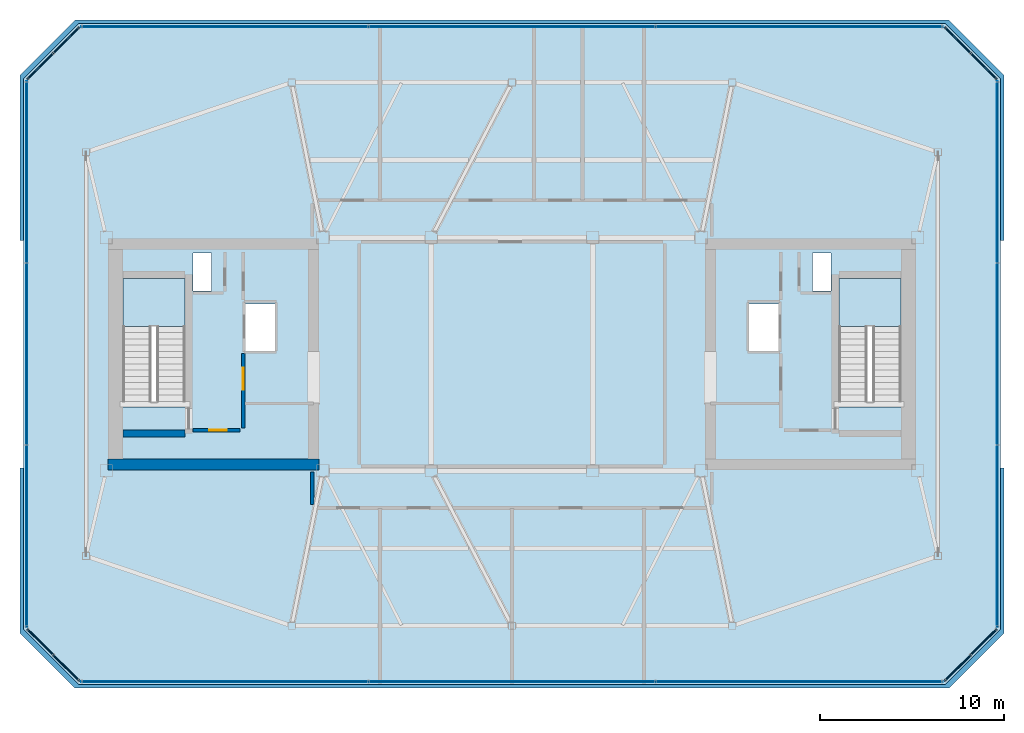
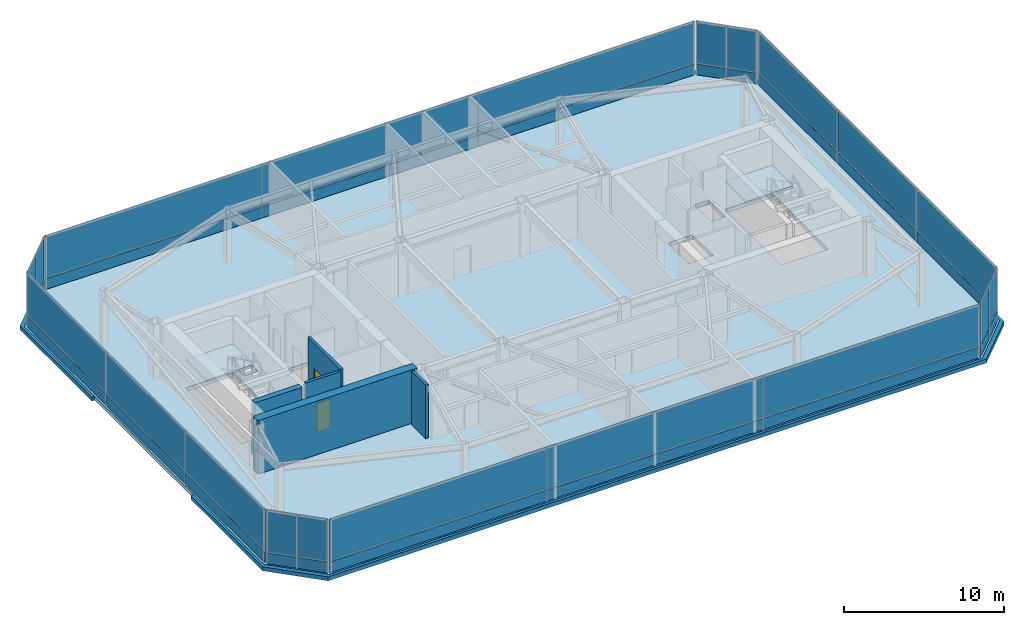
# One storey, part 16 of 21: 40 plates, 5 slabs, 5 walls, 2 doors, 2 openings, 10 elements without a shape of their own.
"""IFC4 building model written with IfcOpenShell, lengths in metres."""

from ifc_helpers import new_model, si_unit, direction, frame, frame_2d, origin, origin_2d, place, context, subcontext, project, spatial, polyline, rectangle, outline, extrude, material, layer, layer_set, type_object, element, fill, aggregate, save


model = new_model("IFC4")

# Units and contexts
model_context = context("Model", 3, precision=1e-05, world=origin(), true_north=direction((0.0, 1.0)))
body_context = subcontext(model_context, "Body", "Model", "MODEL_VIEW")
ifc_project = project(units=[si_unit("LENGTHUNIT", "METRE"), si_unit("AREAUNIT", "SQUARE_METRE"), si_unit("VOLUMEUNIT", "CUBIC_METRE"), si_unit("PLANEANGLEUNIT", "RADIAN"), si_unit("MASSUNIT", "GRAM", prefix="KILO")], contexts=[model_context])

# Site, building, storey
site_placement = place(None, origin())
site = spatial("IfcSite", under=ifc_project, at=site_placement, CompositionType="ELEMENT")
building_placement = place(site_placement, origin())
building = spatial("IfcBuilding", under=site, at=building_placement, Name="Tavrogorsk Clinical Tower", CompositionType="ELEMENT")
storey_placement = place(building_placement, frame((0.0, 0.0, 344.199951171875)))
storey = spatial("IfcBuildingStorey", under=building, at=storey_placement, Name="L80", CompositionType="ELEMENT", Elevation=344.199951171875)

# Slabs
ifc_material_1 = material(Name="Concrete B60", Category="concrete")
ifc_layer_1 = layer(ifc_material_1, 0.300048828125)
ifc_layer_set_1 = layer_set([ifc_layer_1], Name="Concrete B60")
slab_type_1 = type_object("IfcSlabType", Name="CrownRoofSlab_300", PredefinedType="FLOOR", material=ifc_layer_set_1)
slab_1_placement = place(storey_placement, frame((0.0, 0.0, -0.300048828125)))
element("IfcSlab", 1, at=slab_1_placement, inside=storey, type_object=slab_type_1, Name="L80 Structural Slab", PredefinedType="FLOOR", context=body_context, shape_type="SweptSolid", body=[
    extrude(outline(polyline([(-23.60009765625, -18.0), (23.60009765625, -18.0), (26.60009765625, -15.0), (26.60009765625, 15.0), (23.60009765625, 18.0), (-23.60009765625, 18.0), (-26.60009765625, 15.0), (-26.60009765625, -15.0), (-23.60009765625, -18.0)]), holes=[polyline([(-17.800048828125, -2.8798828125), (-17.800048828125, 4.125), (-21.199951171875, 4.125), (-21.199951171875, -2.8798828125), (-17.800048828125, -2.8798828125)]), polyline([(21.199951171875, -2.8798828125), (21.199951171875, 4.125), (17.800048828125, 4.125), (17.800048828125, -2.8798828125), (21.199951171875, -2.8798828125)]), polyline([(-14.6201171875, 0.169921875), (-12.860107421875, 0.169921875), (-12.860107421875, 2.72998046875), (-14.6201171875, 2.72998046875), (-14.6201171875, 0.169921875)]), polyline([(12.860107421875, 0.169921875), (14.6201171875, 0.169921875), (14.6201171875, 2.72998046875), (12.860107421875, 2.72998046875), (12.860107421875, 0.169921875)]), polyline([(-17.3798828125, 3.449951171875), (-16.3798828125, 3.449951171875), (-16.3798828125, 5.5), (-17.3798828125, 5.5), (-17.3798828125, 3.449951171875)]), polyline([(16.3798828125, 3.449951171875), (17.3798828125, 3.449951171875), (17.3798828125, 5.5), (16.3798828125, 5.5), (16.3798828125, 3.449951171875)])]), origin(), (0.0, 0.0, 1.0), 0.300048828125),
])
ifc_material_2 = material(Name="Concrete B60", Category="concrete")
ifc_layer_2 = layer(ifc_material_2, 0.300048828125)
ifc_layer_set_2 = layer_set([ifc_layer_2], Name="Concrete B60")
slab_type_2 = type_object("IfcSlabType", Name="CrownTopRoofSlab_300", PredefinedType="ROOF", material=ifc_layer_set_2)
slab_2_placement = place(storey_placement, frame((0.0, 0.0, -0.300048828125)))
element("IfcSlab", 2, at=slab_2_placement, inside=storey, type_object=slab_type_2, Name="L80 Setback Roof Slab 1", PredefinedType="ROOF", context=body_context, shape_type="SweptSolid", body=[
    extrude(outline(polyline([(-26.800048828125, -6.199951171875), (-26.60009765625, -6.199951171875), (-26.60009765625, -15.0), (-23.60009765625, -18.0), (23.60009765625, -18.0), (26.60009765625, -15.0), (26.60009765625, -6.199951171875), (26.800048828125, -6.199951171875), (26.800048828125, -15.199951171875), (23.800048828125, -18.199951171875), (-23.800048828125, -18.199951171875), (-26.800048828125, -15.199951171875), (-26.800048828125, -6.199951171875)])), origin(), (0.0, 0.0, 1.0), 0.300048828125),
])
slab_3_placement = place(storey_placement, frame((0.0, 0.0, -0.300048828125)))
element("IfcSlab", 3, at=slab_3_placement, inside=storey, type_object=slab_type_2, Name="L80 Setback Roof Slab 2", PredefinedType="ROOF", context=body_context, shape_type="SweptSolid", body=[
    extrude(outline(polyline([(-26.800048828125, 15.199951171875), (-23.800048828125, 18.199951171875), (23.800048828125, 18.199951171875), (26.800048828125, 15.199951171875), (26.800048828125, 6.199951171875), (26.60009765625, 6.199951171875), (26.60009765625, 15.0), (23.60009765625, 18.0), (-23.60009765625, 18.0), (-26.60009765625, 15.0), (-26.60009765625, 6.199951171875), (-26.800048828125, 6.199951171875), (-26.800048828125, 15.199951171875)])), origin(), (0.0, 0.0, 1.0), 0.300048828125),
])

# Curtain wall, plates
ifc_material_3 = material(Name="Anodised aluminium and triple IGU glazing", Category="aluminium")
ifc_layer_3 = layer(ifc_material_3, 0.179931640625)
ifc_layer_set_3 = layer_set([ifc_layer_3], Name="Anodised aluminium and triple IGU glazing")
curtain_wall_type = type_object("IfcCurtainWallType", Name="CW5_SkyLobby", PredefinedType="NOTDEFINED", material=ifc_layer_set_3)
curtain_wall_1_placement = place(storey_placement, origin())
curtain_wall_1 = element("IfcCurtainWall", 4, at=curtain_wall_1_placement, inside=storey, type_object=curtain_wall_type, Name="L80 Curtain Wall CW-L80-DRUM-1", PredefinedType="NOTDEFINED")
ifc_material_4 = material(Name="Honed Podolsk limestone spandrel panel", Category="masonry")
ifc_layer_4 = layer(ifc_material_4, 0.080078125)
ifc_layer_set_4 = layer_set([ifc_layer_4], Name="Honed Podolsk limestone spandrel panel")
plate_type_1 = type_object("IfcPlateType", Name="CwSpandrelStonePanel_80", PredefinedType="CURTAIN_PANEL", material=ifc_layer_set_4)
plate_1_placement = place(storey_placement, frame((-24.27734375, -17.096435546875, 0.002197265625), z_axis=(0.0, 0.0, 1.0), x_axis=(-0.707106781187, 0.707106781187, 0.0)))
plate_1 = element("IfcPlate", 5, at=plate_1_placement, type_object=plate_type_1, Name="CW-L80-DRUM-1 Stone Spandrel Panel 1", PredefinedType="CURTAIN_PANEL", context=body_context, shape_type="SweptSolid", body=[
    extrude(rectangle(XDim=1.98291015625, YDim=0.080078125, at=origin_2d()), origin(), (0.0, 0.0, 1.0), 0.8359375),
])
plate_2_placement = place(storey_placement, frame((-25.696533203125, -15.67724609375, 0.002197265625), z_axis=(0.0, 0.0, 1.0), x_axis=(-0.707106781187, 0.707106781187, 0.0)))
plate_2 = element("IfcPlate", 6, at=plate_2_placement, type_object=plate_type_1, Name="CW-L80-DRUM-1 Stone Spandrel Panel 2", PredefinedType="CURTAIN_PANEL", context=body_context, shape_type="SweptSolid", body=[
    extrude(rectangle(XDim=1.98291015625, YDim=0.080078125, at=origin_2d()), origin(), (0.0, 0.0, 1.0), 0.8359375),
])

curtain_wall_2_placement = place(storey_placement, origin())
curtain_wall_2 = element("IfcCurtainWall", 7, at=curtain_wall_2_placement, inside=storey, type_object=curtain_wall_type, Name="L80 Curtain Wall CW-L80-DRUM-2", PredefinedType="NOTDEFINED")
plate_3_placement = place(storey_placement, frame((-26.43994140625, -9.921875, 0.002197265625), z_axis=(0.0, 0.0, 1.0), x_axis=(0.0, 1.0, 0.0)))
plate_3 = element("IfcPlate", 8, at=plate_3_placement, type_object=plate_type_1, Name="CW-L80-DRUM-2 Stone Spandrel Panel 1", PredefinedType="CURTAIN_PANEL", context=body_context, shape_type="SweptSolid", body=[
    extrude(rectangle(XDim=9.90380859375, YDim=0.080078125, at=origin_2d()), origin(), (0.0, 0.0, 1.0), 0.8359375),
])
plate_4_placement = place(storey_placement, frame((-26.43994140625, 0.0, 0.002197265625), z_axis=(0.0, 0.0, 1.0), x_axis=(0.0, 1.0, 0.0)))
plate_4 = element("IfcPlate", 9, at=plate_4_placement, type_object=plate_type_1, Name="CW-L80-DRUM-2 Stone Spandrel Panel 2", PredefinedType="CURTAIN_PANEL", context=body_context, shape_type="SweptSolid", body=[
    extrude(rectangle(XDim=9.891845703125, YDim=0.080078125, at=origin_2d()), origin(), (0.0, 0.0, 1.0), 0.8359375),
])
plate_5_placement = place(storey_placement, frame((-26.43994140625, 9.921875, 0.002197265625), z_axis=(0.0, 0.0, 1.0), x_axis=(0.0, 1.0, 0.0)))
plate_5 = element("IfcPlate", 10, at=plate_5_placement, type_object=plate_type_1, Name="CW-L80-DRUM-2 Stone Spandrel Panel 3", PredefinedType="CURTAIN_PANEL", context=body_context, shape_type="SweptSolid", body=[
    extrude(rectangle(XDim=9.90380859375, YDim=0.080078125, at=origin_2d()), origin(), (0.0, 0.0, 1.0), 0.8359375),
])

curtain_wall_3_placement = place(storey_placement, origin())
curtain_wall_3 = element("IfcCurtainWall", 11, at=curtain_wall_3_placement, inside=storey, type_object=curtain_wall_type, Name="L80 Curtain Wall CW-L80-DRUM-3", PredefinedType="NOTDEFINED")
plate_6_placement = place(storey_placement, frame((-25.696533203125, 15.67724609375, 0.002197265625), z_axis=(0.0, 0.0, 1.0), x_axis=(0.707106781187, 0.707106781187, 0.0)))
plate_6 = element("IfcPlate", 12, at=plate_6_placement, type_object=plate_type_1, Name="CW-L80-DRUM-3 Stone Spandrel Panel 1", PredefinedType="CURTAIN_PANEL", context=body_context, shape_type="SweptSolid", body=[
    extrude(rectangle(XDim=1.98291015625, YDim=0.080078125, at=origin_2d()), origin(), (0.0, 0.0, 1.0), 0.8359375),
])
plate_7_placement = place(storey_placement, frame((-24.27734375, 17.096435546875, 0.002197265625), z_axis=(0.0, 0.0, 1.0), x_axis=(0.707106781187, 0.707106781187, 0.0)))
plate_7 = element("IfcPlate", 13, at=plate_7_placement, type_object=plate_type_1, Name="CW-L80-DRUM-3 Stone Spandrel Panel 2", PredefinedType="CURTAIN_PANEL", context=body_context, shape_type="SweptSolid", body=[
    extrude(rectangle(XDim=1.98291015625, YDim=0.080078125, at=origin_2d()), origin(), (0.0, 0.0, 1.0), 0.8359375),
])

curtain_wall_4_placement = place(storey_placement, origin())
curtain_wall_4 = element("IfcCurtainWall", 14, at=curtain_wall_4_placement, inside=storey, type_object=curtain_wall_type, Name="L80 Curtain Wall CW-L80-DRUM-4", PredefinedType="NOTDEFINED")
plate_8_placement = place(storey_placement, frame((-15.655029296875, 17.840087890625, 0.002197265625), z_axis=(0.0, 0.0, 1.0), x_axis=(1.0, 0.0, 0.0)))
plate_8 = element("IfcPlate", 15, at=plate_8_placement, type_object=plate_type_1, Name="CW-L80-DRUM-4 Stone Spandrel Panel 1", PredefinedType="CURTAIN_PANEL", context=body_context, shape_type="SweptSolid", body=[
    extrude(rectangle(XDim=15.63720703125, YDim=0.080078125, at=origin_2d()), origin(), (0.0, 0.0, 1.0), 0.8359375),
])
plate_9_placement = place(storey_placement, frame((0.0, 17.840087890625, 0.002197265625), z_axis=(0.0, 0.0, 1.0), x_axis=(1.0, 0.0, 0.0)))
plate_9 = element("IfcPlate", 16, at=plate_9_placement, type_object=plate_type_1, Name="CW-L80-DRUM-4 Stone Spandrel Panel 2", PredefinedType="CURTAIN_PANEL", context=body_context, shape_type="SweptSolid", body=[
    extrude(rectangle(XDim=15.625244140625, YDim=0.080078125, at=origin_2d()), origin(), (0.0, 0.0, 1.0), 0.8359375),
])
plate_10_placement = place(storey_placement, frame((15.655029296875, 17.840087890625, 0.002197265625), z_axis=(0.0, 0.0, 1.0), x_axis=(1.0, 0.0, 0.0)))
plate_10 = element("IfcPlate", 17, at=plate_10_placement, type_object=plate_type_1, Name="CW-L80-DRUM-4 Stone Spandrel Panel 3", PredefinedType="CURTAIN_PANEL", context=body_context, shape_type="SweptSolid", body=[
    extrude(rectangle(XDim=15.63720703125, YDim=0.080078125, at=origin_2d()), origin(), (0.0, 0.0, 1.0), 0.8359375),
])

curtain_wall_5_placement = place(storey_placement, origin())
curtain_wall_5 = element("IfcCurtainWall", 18, at=curtain_wall_5_placement, inside=storey, type_object=curtain_wall_type, Name="L80 Curtain Wall CW-L80-DRUM-5", PredefinedType="NOTDEFINED")
plate_11_placement = place(storey_placement, frame((24.27734375, 17.096435546875, 0.002197265625), z_axis=(0.0, 0.0, 1.0), x_axis=(0.707106781187, -0.707106781187, 0.0)))
plate_11 = element("IfcPlate", 19, at=plate_11_placement, type_object=plate_type_1, Name="CW-L80-DRUM-5 Stone Spandrel Panel 1", PredefinedType="CURTAIN_PANEL", context=body_context, shape_type="SweptSolid", body=[
    extrude(rectangle(XDim=1.98291015625, YDim=0.080078125, at=origin_2d()), origin(), (0.0, 0.0, 1.0), 0.8359375),
])
plate_12_placement = place(storey_placement, frame((25.696533203125, 15.67724609375, 0.002197265625), z_axis=(0.0, 0.0, 1.0), x_axis=(0.707106781187, -0.707106781187, 0.0)))
plate_12 = element("IfcPlate", 20, at=plate_12_placement, type_object=plate_type_1, Name="CW-L80-DRUM-5 Stone Spandrel Panel 2", PredefinedType="CURTAIN_PANEL", context=body_context, shape_type="SweptSolid", body=[
    extrude(rectangle(XDim=1.98291015625, YDim=0.080078125, at=origin_2d()), origin(), (0.0, 0.0, 1.0), 0.8359375),
])

curtain_wall_6_placement = place(storey_placement, origin())
curtain_wall_6 = element("IfcCurtainWall", 21, at=curtain_wall_6_placement, inside=storey, type_object=curtain_wall_type, Name="L80 Curtain Wall CW-L80-DRUM-6", PredefinedType="NOTDEFINED")
plate_13_placement = place(storey_placement, frame((26.43994140625, 9.921875, 0.002197265625), z_axis=(0.0, 0.0, 1.0), x_axis=(0.0, -1.0, 0.0)))
plate_13 = element("IfcPlate", 22, at=plate_13_placement, type_object=plate_type_1, Name="CW-L80-DRUM-6 Stone Spandrel Panel 1", PredefinedType="CURTAIN_PANEL", context=body_context, shape_type="SweptSolid", body=[
    extrude(rectangle(XDim=9.90380859375, YDim=0.080078125, at=origin_2d()), origin(), (0.0, 0.0, 1.0), 0.8359375),
])
plate_14_placement = place(storey_placement, frame((26.43994140625, 0.0, 0.002197265625), z_axis=(0.0, 0.0, 1.0), x_axis=(0.0, -1.0, 0.0)))
plate_14 = element("IfcPlate", 23, at=plate_14_placement, type_object=plate_type_1, Name="CW-L80-DRUM-6 Stone Spandrel Panel 2", PredefinedType="CURTAIN_PANEL", context=body_context, shape_type="SweptSolid", body=[
    extrude(rectangle(XDim=9.891845703125, YDim=0.080078125, at=origin_2d()), origin(), (0.0, 0.0, 1.0), 0.8359375),
])
plate_15_placement = place(storey_placement, frame((26.43994140625, -9.921875, 0.002197265625), z_axis=(0.0, 0.0, 1.0), x_axis=(0.0, -1.0, 0.0)))
plate_15 = element("IfcPlate", 24, at=plate_15_placement, type_object=plate_type_1, Name="CW-L80-DRUM-6 Stone Spandrel Panel 3", PredefinedType="CURTAIN_PANEL", context=body_context, shape_type="SweptSolid", body=[
    extrude(rectangle(XDim=9.90380859375, YDim=0.080078125, at=origin_2d()), origin(), (0.0, 0.0, 1.0), 0.8359375),
])

curtain_wall_7_placement = place(storey_placement, origin())
curtain_wall_7 = element("IfcCurtainWall", 25, at=curtain_wall_7_placement, inside=storey, type_object=curtain_wall_type, Name="L80 Curtain Wall CW-L80-DRUM-7", PredefinedType="NOTDEFINED")
plate_16_placement = place(storey_placement, frame((25.696533203125, -15.67724609375, 0.002197265625), z_axis=(0.0, 0.0, 1.0), x_axis=(-0.707106781187, -0.707106781187, 0.0)))
plate_16 = element("IfcPlate", 26, at=plate_16_placement, type_object=plate_type_1, Name="CW-L80-DRUM-7 Stone Spandrel Panel 1", PredefinedType="CURTAIN_PANEL", context=body_context, shape_type="SweptSolid", body=[
    extrude(rectangle(XDim=1.98291015625, YDim=0.080078125, at=origin_2d()), origin(), (0.0, 0.0, 1.0), 0.8359375),
])
plate_17_placement = place(storey_placement, frame((24.27734375, -17.096435546875, 0.002197265625), z_axis=(0.0, 0.0, 1.0), x_axis=(-0.707106781187, -0.707106781187, 0.0)))
plate_17 = element("IfcPlate", 27, at=plate_17_placement, type_object=plate_type_1, Name="CW-L80-DRUM-7 Stone Spandrel Panel 2", PredefinedType="CURTAIN_PANEL", context=body_context, shape_type="SweptSolid", body=[
    extrude(rectangle(XDim=1.98291015625, YDim=0.080078125, at=origin_2d()), origin(), (0.0, 0.0, 1.0), 0.8359375),
])

curtain_wall_8_placement = place(storey_placement, origin())
curtain_wall_8 = element("IfcCurtainWall", 28, at=curtain_wall_8_placement, inside=storey, type_object=curtain_wall_type, Name="L80 Curtain Wall CW-L80-DRUM-8", PredefinedType="NOTDEFINED")
plate_18_placement = place(storey_placement, frame((15.655029296875, -17.840087890625, 0.002197265625), z_axis=(0.0, 0.0, 1.0), x_axis=(-1.0, 0.0, 0.0)))
plate_18 = element("IfcPlate", 29, at=plate_18_placement, type_object=plate_type_1, Name="CW-L80-DRUM-8 Stone Spandrel Panel 1", PredefinedType="CURTAIN_PANEL", context=body_context, shape_type="SweptSolid", body=[
    extrude(rectangle(XDim=15.63720703125, YDim=0.080078125, at=origin_2d()), origin(), (0.0, 0.0, 1.0), 0.8359375),
])
plate_19_placement = place(storey_placement, frame((0.0, -17.840087890625, 0.002197265625), z_axis=(0.0, 0.0, 1.0), x_axis=(-1.0, 0.0, 0.0)))
plate_19 = element("IfcPlate", 30, at=plate_19_placement, type_object=plate_type_1, Name="CW-L80-DRUM-8 Stone Spandrel Panel 2", PredefinedType="CURTAIN_PANEL", context=body_context, shape_type="SweptSolid", body=[
    extrude(rectangle(XDim=15.625244140625, YDim=0.080078125, at=origin_2d()), origin(), (0.0, 0.0, 1.0), 0.8359375),
])
plate_20_placement = place(storey_placement, frame((-15.655029296875, -17.840087890625, 0.002197265625), z_axis=(0.0, 0.0, 1.0), x_axis=(-1.0, 0.0, 0.0)))
plate_20 = element("IfcPlate", 31, at=plate_20_placement, type_object=plate_type_1, Name="CW-L80-DRUM-8 Stone Spandrel Panel 3", PredefinedType="CURTAIN_PANEL", context=body_context, shape_type="SweptSolid", body=[
    extrude(rectangle(XDim=15.63720703125, YDim=0.080078125, at=origin_2d()), origin(), (0.0, 0.0, 1.0), 0.8359375),
])

# Plate
ifc_material_5 = material(Name="Triple low-E argon insulated glass", Category="glass")
ifc_layer_5 = layer(ifc_material_5, 0.048095703125)
ifc_layer_set_5 = layer_set([ifc_layer_5], Name="Triple low-E argon insulated glass")
plate_type_2 = type_object("IfcPlateType", Name="CwVisionGlassPanel_48", PredefinedType="CURTAIN_PANEL", material=ifc_layer_set_5)
plate_21_placement = place(storey_placement, frame((-24.27734375, -17.096435546875, 0.86181640625), z_axis=(0.0, 0.0, 1.0), x_axis=(-0.707106781187, 0.707106781187, 0.0)))
plate_21 = element("IfcPlate", 32, at=plate_21_placement, type_object=plate_type_2, Name="CW-L80-DRUM-1 Glazing Panel 1", PredefinedType="CURTAIN_PANEL", context=body_context, shape_type="SweptSolid", body=[
    extrude(rectangle(XDim=1.98291015625, YDim=0.048095703125, at=origin_2d()), origin(), (0.0, 0.0, 1.0), 3.236083984375),
])

plate_22_placement = place(storey_placement, frame((-25.696533203125, -15.67724609375, 0.86181640625), z_axis=(0.0, 0.0, 1.0), x_axis=(-0.707106781187, 0.707106781187, 0.0)))
plate_22 = element("IfcPlate", 33, at=plate_22_placement, type_object=plate_type_2, Name="CW-L80-DRUM-1 Glazing Panel 2", PredefinedType="CURTAIN_PANEL", context=body_context, shape_type="SweptSolid", body=[
    extrude(rectangle(XDim=1.98291015625, YDim=0.048095703125, at=origin_2d()), origin(), (0.0, 0.0, 1.0), 3.236083984375),
])

aggregate(curtain_wall_1, [plate_1, plate_21, plate_2, plate_22])

plate_23_placement = place(storey_placement, frame((-26.43994140625, -9.921875, 0.86181640625), z_axis=(0.0, 0.0, 1.0), x_axis=(0.0, 1.0, 0.0)))
plate_23 = element("IfcPlate", 34, at=plate_23_placement, type_object=plate_type_2, Name="CW-L80-DRUM-2 Glazing Panel 1", PredefinedType="CURTAIN_PANEL", context=body_context, shape_type="SweptSolid", body=[
    extrude(rectangle(XDim=9.90380859375, YDim=0.048095703125, at=origin_2d()), origin(), (0.0, 0.0, 1.0), 3.236083984375),
])

plate_24_placement = place(storey_placement, frame((-26.43994140625, 0.0, 0.86181640625), z_axis=(0.0, 0.0, 1.0), x_axis=(0.0, 1.0, 0.0)))
plate_24 = element("IfcPlate", 35, at=plate_24_placement, type_object=plate_type_2, Name="CW-L80-DRUM-2 Glazing Panel 2", PredefinedType="CURTAIN_PANEL", context=body_context, shape_type="SweptSolid", body=[
    extrude(rectangle(XDim=9.891845703125, YDim=0.048095703125, at=origin_2d()), origin(), (0.0, 0.0, 1.0), 3.236083984375),
])

plate_25_placement = place(storey_placement, frame((-26.43994140625, 9.921875, 0.86181640625), z_axis=(0.0, 0.0, 1.0), x_axis=(0.0, 1.0, 0.0)))
plate_25 = element("IfcPlate", 36, at=plate_25_placement, type_object=plate_type_2, Name="CW-L80-DRUM-2 Glazing Panel 3", PredefinedType="CURTAIN_PANEL", context=body_context, shape_type="SweptSolid", body=[
    extrude(rectangle(XDim=9.90380859375, YDim=0.048095703125, at=origin_2d()), origin(), (0.0, 0.0, 1.0), 3.236083984375),
])

aggregate(curtain_wall_2, [plate_3, plate_23, plate_4, plate_24, plate_5, plate_25])

plate_26_placement = place(storey_placement, frame((-25.696533203125, 15.67724609375, 0.86181640625), z_axis=(0.0, 0.0, 1.0), x_axis=(0.707106781187, 0.707106781187, 0.0)))
plate_26 = element("IfcPlate", 37, at=plate_26_placement, type_object=plate_type_2, Name="CW-L80-DRUM-3 Glazing Panel 1", PredefinedType="CURTAIN_PANEL", context=body_context, shape_type="SweptSolid", body=[
    extrude(rectangle(XDim=1.98291015625, YDim=0.048095703125, at=origin_2d()), origin(), (0.0, 0.0, 1.0), 3.236083984375),
])

plate_27_placement = place(storey_placement, frame((-24.27734375, 17.096435546875, 0.86181640625), z_axis=(0.0, 0.0, 1.0), x_axis=(0.707106781187, 0.707106781187, 0.0)))
plate_27 = element("IfcPlate", 38, at=plate_27_placement, type_object=plate_type_2, Name="CW-L80-DRUM-3 Glazing Panel 2", PredefinedType="CURTAIN_PANEL", context=body_context, shape_type="SweptSolid", body=[
    extrude(rectangle(XDim=1.98291015625, YDim=0.048095703125, at=origin_2d()), origin(), (0.0, 0.0, 1.0), 3.236083984375),
])

aggregate(curtain_wall_3, [plate_6, plate_26, plate_7, plate_27])

plate_28_placement = place(storey_placement, frame((-15.655029296875, 17.840087890625, 0.86181640625), z_axis=(0.0, 0.0, 1.0), x_axis=(1.0, 0.0, 0.0)))
plate_28 = element("IfcPlate", 39, at=plate_28_placement, type_object=plate_type_2, Name="CW-L80-DRUM-4 Glazing Panel 1", PredefinedType="CURTAIN_PANEL", context=body_context, shape_type="SweptSolid", body=[
    extrude(rectangle(XDim=15.63720703125, YDim=0.048095703125, at=origin_2d()), origin(), (0.0, 0.0, 1.0), 3.236083984375),
])

plate_29_placement = place(storey_placement, frame((0.0, 17.840087890625, 0.86181640625), z_axis=(0.0, 0.0, 1.0), x_axis=(1.0, 0.0, 0.0)))
plate_29 = element("IfcPlate", 40, at=plate_29_placement, type_object=plate_type_2, Name="CW-L80-DRUM-4 Glazing Panel 2", PredefinedType="CURTAIN_PANEL", context=body_context, shape_type="SweptSolid", body=[
    extrude(rectangle(XDim=15.625244140625, YDim=0.048095703125, at=origin_2d()), origin(), (0.0, 0.0, 1.0), 3.236083984375),
])

plate_30_placement = place(storey_placement, frame((15.655029296875, 17.840087890625, 0.86181640625), z_axis=(0.0, 0.0, 1.0), x_axis=(1.0, 0.0, 0.0)))
plate_30 = element("IfcPlate", 41, at=plate_30_placement, type_object=plate_type_2, Name="CW-L80-DRUM-4 Glazing Panel 3", PredefinedType="CURTAIN_PANEL", context=body_context, shape_type="SweptSolid", body=[
    extrude(rectangle(XDim=15.63720703125, YDim=0.048095703125, at=origin_2d()), origin(), (0.0, 0.0, 1.0), 3.236083984375),
])

aggregate(curtain_wall_4, [plate_8, plate_28, plate_9, plate_29, plate_10, plate_30])

plate_31_placement = place(storey_placement, frame((24.27734375, 17.096435546875, 0.86181640625), z_axis=(0.0, 0.0, 1.0), x_axis=(0.707106781187, -0.707106781187, 0.0)))
plate_31 = element("IfcPlate", 42, at=plate_31_placement, type_object=plate_type_2, Name="CW-L80-DRUM-5 Glazing Panel 1", PredefinedType="CURTAIN_PANEL", context=body_context, shape_type="SweptSolid", body=[
    extrude(rectangle(XDim=1.98291015625, YDim=0.048095703125, at=origin_2d()), origin(), (0.0, 0.0, 1.0), 3.236083984375),
])

plate_32_placement = place(storey_placement, frame((25.696533203125, 15.67724609375, 0.86181640625), z_axis=(0.0, 0.0, 1.0), x_axis=(0.707106781187, -0.707106781187, 0.0)))
plate_32 = element("IfcPlate", 43, at=plate_32_placement, type_object=plate_type_2, Name="CW-L80-DRUM-5 Glazing Panel 2", PredefinedType="CURTAIN_PANEL", context=body_context, shape_type="SweptSolid", body=[
    extrude(rectangle(XDim=1.98291015625, YDim=0.048095703125, at=origin_2d()), origin(), (0.0, 0.0, 1.0), 3.236083984375),
])

aggregate(curtain_wall_5, [plate_11, plate_31, plate_12, plate_32])

plate_33_placement = place(storey_placement, frame((26.43994140625, 9.921875, 0.86181640625), z_axis=(0.0, 0.0, 1.0), x_axis=(0.0, -1.0, 0.0)))
plate_33 = element("IfcPlate", 44, at=plate_33_placement, type_object=plate_type_2, Name="CW-L80-DRUM-6 Glazing Panel 1", PredefinedType="CURTAIN_PANEL", context=body_context, shape_type="SweptSolid", body=[
    extrude(rectangle(XDim=9.90380859375, YDim=0.048095703125, at=origin_2d()), origin(), (0.0, 0.0, 1.0), 3.236083984375),
])

plate_34_placement = place(storey_placement, frame((26.43994140625, 0.0, 0.86181640625), z_axis=(0.0, 0.0, 1.0), x_axis=(0.0, -1.0, 0.0)))
plate_34 = element("IfcPlate", 45, at=plate_34_placement, type_object=plate_type_2, Name="CW-L80-DRUM-6 Glazing Panel 2", PredefinedType="CURTAIN_PANEL", context=body_context, shape_type="SweptSolid", body=[
    extrude(rectangle(XDim=9.891845703125, YDim=0.048095703125, at=origin_2d()), origin(), (0.0, 0.0, 1.0), 3.236083984375),
])

plate_35_placement = place(storey_placement, frame((26.43994140625, -9.921875, 0.86181640625), z_axis=(0.0, 0.0, 1.0), x_axis=(0.0, -1.0, 0.0)))
plate_35 = element("IfcPlate", 46, at=plate_35_placement, type_object=plate_type_2, Name="CW-L80-DRUM-6 Glazing Panel 3", PredefinedType="CURTAIN_PANEL", context=body_context, shape_type="SweptSolid", body=[
    extrude(rectangle(XDim=9.90380859375, YDim=0.048095703125, at=origin_2d()), origin(), (0.0, 0.0, 1.0), 3.236083984375),
])

aggregate(curtain_wall_6, [plate_13, plate_33, plate_14, plate_34, plate_15, plate_35])

plate_36_placement = place(storey_placement, frame((25.696533203125, -15.67724609375, 0.86181640625), z_axis=(0.0, 0.0, 1.0), x_axis=(-0.707106781187, -0.707106781187, 0.0)))
plate_36 = element("IfcPlate", 47, at=plate_36_placement, type_object=plate_type_2, Name="CW-L80-DRUM-7 Glazing Panel 1", PredefinedType="CURTAIN_PANEL", context=body_context, shape_type="SweptSolid", body=[
    extrude(rectangle(XDim=1.98291015625, YDim=0.048095703125, at=origin_2d()), origin(), (0.0, 0.0, 1.0), 3.236083984375),
])

plate_37_placement = place(storey_placement, frame((24.27734375, -17.096435546875, 0.86181640625), z_axis=(0.0, 0.0, 1.0), x_axis=(-0.707106781187, -0.707106781187, 0.0)))
plate_37 = element("IfcPlate", 48, at=plate_37_placement, type_object=plate_type_2, Name="CW-L80-DRUM-7 Glazing Panel 2", PredefinedType="CURTAIN_PANEL", context=body_context, shape_type="SweptSolid", body=[
    extrude(rectangle(XDim=1.98291015625, YDim=0.048095703125, at=origin_2d()), origin(), (0.0, 0.0, 1.0), 3.236083984375),
])

aggregate(curtain_wall_7, [plate_16, plate_36, plate_17, plate_37])

plate_38_placement = place(storey_placement, frame((15.655029296875, -17.840087890625, 0.86181640625), z_axis=(0.0, 0.0, 1.0), x_axis=(-1.0, 0.0, 0.0)))
plate_38 = element("IfcPlate", 49, at=plate_38_placement, type_object=plate_type_2, Name="CW-L80-DRUM-8 Glazing Panel 1", PredefinedType="CURTAIN_PANEL", context=body_context, shape_type="SweptSolid", body=[
    extrude(rectangle(XDim=15.63720703125, YDim=0.048095703125, at=origin_2d()), origin(), (0.0, 0.0, 1.0), 3.236083984375),
])

plate_39_placement = place(storey_placement, frame((0.0, -17.840087890625, 0.86181640625), z_axis=(0.0, 0.0, 1.0), x_axis=(-1.0, 0.0, 0.0)))
plate_39 = element("IfcPlate", 50, at=plate_39_placement, type_object=plate_type_2, Name="CW-L80-DRUM-8 Glazing Panel 2", PredefinedType="CURTAIN_PANEL", context=body_context, shape_type="SweptSolid", body=[
    extrude(rectangle(XDim=15.625244140625, YDim=0.048095703125, at=origin_2d()), origin(), (0.0, 0.0, 1.0), 3.236083984375),
])

plate_40_placement = place(storey_placement, frame((-15.655029296875, -17.840087890625, 0.86181640625), z_axis=(0.0, 0.0, 1.0), x_axis=(-1.0, 0.0, 0.0)))
plate_40 = element("IfcPlate", 51, at=plate_40_placement, type_object=plate_type_2, Name="CW-L80-DRUM-8 Glazing Panel 3", PredefinedType="CURTAIN_PANEL", context=body_context, shape_type="SweptSolid", body=[
    extrude(rectangle(XDim=15.63720703125, YDim=0.048095703125, at=origin_2d()), origin(), (0.0, 0.0, 1.0), 3.236083984375),
])

aggregate(curtain_wall_8, [plate_18, plate_38, plate_19, plate_39, plate_20, plate_40])

# Stair, slab
ifc_material_6 = material(Name="Concrete B60", Category="concrete")
stair_type = type_object("IfcStairType", Name="CoreStairAssembly", PredefinedType="HALF_TURN_STAIR", material=ifc_material_6)
stair_1_placement = place(storey_placement, origin())
stair_1 = element("IfcStair", 52, at=stair_1_placement, inside=storey, type_object=stair_type, Name="L80 ST-W", PredefinedType="HALF_TURN_STAIR")
ifc_material_7 = material(Name="Concrete B60", Category="concrete")
ifc_layer_6 = layer(ifc_material_7, 0.199951171875)
ifc_layer_set_6 = layer_set([ifc_layer_6], Name="Concrete B60")
slab_type_3 = type_object("IfcSlabType", Name="StairLanding_200", PredefinedType="LANDING", material=ifc_layer_set_6)
slab_4_placement = place(storey_placement, frame((0.0, 0.0, 2.0)))
slab_4 = element("IfcSlab", 53, at=slab_4_placement, type_object=slab_type_3, Name="ST-W landing 1", PredefinedType="LANDING", context=body_context, shape_type="SweptSolid", body=[
    extrude(outline(polyline([(-17.800048828125, 1.5048828125), (-17.800048828125, 4.125), (-21.199951171875, 4.125), (-21.199951171875, 1.5048828125), (-17.800048828125, 1.5048828125)])), origin(), (0.0, 0.0, 1.0), 0.199951171875),
])
aggregate(stair_1, [slab_4])

stair_2_placement = place(storey_placement, origin())
stair_2 = element("IfcStair", 54, at=stair_2_placement, inside=storey, type_object=stair_type, Name="L80 ST-E", PredefinedType="HALF_TURN_STAIR")
slab_5_placement = place(storey_placement, frame((0.0, 0.0, 2.0)))
slab_5 = element("IfcSlab", 55, at=slab_5_placement, type_object=slab_type_3, Name="ST-E landing 1", PredefinedType="LANDING", context=body_context, shape_type="SweptSolid", body=[
    extrude(outline(polyline([(21.199951171875, 1.5048828125), (21.199951171875, 4.125), (17.800048828125, 4.125), (17.800048828125, 1.5048828125), (21.199951171875, 1.5048828125)])), origin(), (0.0, 0.0, 1.0), 0.199951171875),
])
aggregate(stair_2, [slab_5])

# Wall, opening, door
ifc_material_8 = material(Name="Concrete B60", Category="concrete")
ifc_layer_7 = layer(ifc_material_8, 0.199951171875)
ifc_layer_set_7 = layer_set([ifc_layer_7], Name="Concrete B60")
wall_type_1 = type_object("IfcWallType", Name="CoreFireWall_200", PredefinedType="SOLIDWALL", material=ifc_layer_set_7)
wall_1_placement = place(storey_placement, frame((-17.3798828125, -4.139892578125, 0.0), z_axis=(0.0, 0.0, 1.0), x_axis=(1.0, 0.0, 0.0)))
wall_1 = element("IfcWall", 56, at=wall_1_placement, inside=storey, type_object=wall_type_1, Name="L80 Core West South Core Room Fire Wall", PredefinedType="SOLIDWALL", context=body_context, shape_type="SweptSolid", body=[
    extrude(rectangle(XDim=2.554931640625, YDim=0.199951171875, at=frame_2d((1.27734375, 0.0))), origin(), (0.0, 0.0, 1.0), 4.10009765625),
])
opening_1_placement = place(wall_1_placement, frame((0.8798828125, 0.0, 0.0)))
opening_1 = element("IfcOpeningElement", 57, at=opening_1_placement, cuts=wall_1, Name="Opening ID-02", PredefinedType="OPENING", context=body_context, shape_type="SweptSolid", body=[
    extrude(rectangle(XDim=0.949951171875, YDim=2.199951171875, at=frame_2d((0.47509765625, 1.10009765625))), frame((0.0, 0.10986328125, 0.0), z_axis=(0.0, -1.0, 0.0), x_axis=(1.0, 0.0, 0.0)), (0.0, 0.0, 1.0), 0.219970703125),
])
ifc_material_9 = material(Name="Laminated timber leaf on aluminium frame", Category="wood")
door_type_1 = type_object("IfcDoorType", Name="InteriorDoor_ID02_950", OperationType="NOTDEFINED", PredefinedType="DOOR", material=ifc_material_9)
door_1_placement = place(opening_1_placement, origin())
door_1 = element("IfcDoor", 58, at=door_1_placement, inside=storey, type_object=door_type_1, Name="L80 Core West South Core Room Door", OperationType="SINGLE_SWING_RIGHT", OverallHeight=2.199951171875, OverallWidth=0.949951171875, PredefinedType="DOOR", context=body_context, shape_type="SweptSolid", body=[
    extrude(rectangle(XDim=0.949951171875, YDim=2.199951171875, at=frame_2d((0.47509765625, 1.10009765625))), frame((0.0, 0.02490234375, 0.0), z_axis=(0.0, -1.0, 0.0), x_axis=(1.0, 0.0, 0.0)), (0.0, 0.0, 1.0), 0.050048828125),
])
fill(opening_1, door_1)

wall_2_placement = place(storey_placement, frame((-14.639892578125, -4.034912109375, 0.0), z_axis=(0.0, 0.0, 1.0), x_axis=(0.0, 1.0, 0.0)))
wall_2 = element("IfcWall", 59, at=wall_2_placement, inside=storey, type_object=wall_type_1, Name="L80 Core West Firefighting Lobby Fire Wall", PredefinedType="SOLIDWALL", context=body_context, shape_type="SweptSolid", body=[
    extrude(rectangle(XDim=4.074951171875, YDim=0.199951171875, at=frame_2d((2.03759765625, 0.0))), origin(), (0.0, 0.0, 1.0), 4.10009765625),
])
opening_2_placement = place(wall_2_placement, frame((2.090087890625, 0.0, 0.0)))
opening_2 = element("IfcOpeningElement", 60, at=opening_2_placement, cuts=wall_2, Name="Opening FD-01", PredefinedType="OPENING", context=body_context, shape_type="SweptSolid", body=[
    extrude(rectangle(XDim=1.199951171875, YDim=2.199951171875, at=frame_2d((0.60009765625, 1.10009765625))), frame((0.0, 0.10986328125, 0.0), z_axis=(0.0, -1.0, 0.0), x_axis=(1.0, 0.0, 0.0)), (0.0, 0.0, 1.0), 0.219970703125),
])
ifc_material_10 = material(Name="Galvanised steel fire-rated door assembly", Category="steel")
door_type_2 = type_object("IfcDoorType", Name="FireDoor_FD01_1200", OperationType="NOTDEFINED", PredefinedType="DOOR", material=ifc_material_10)
door_2_placement = place(opening_2_placement, origin())
door_2 = element("IfcDoor", 61, at=door_2_placement, inside=storey, type_object=door_type_2, Name="L80 Core West Firefighting Lobby Entry Door", OperationType="SINGLE_SWING_RIGHT", OverallHeight=2.199951171875, OverallWidth=1.199951171875, PredefinedType="DOOR", context=body_context, shape_type="SweptSolid", body=[
    extrude(rectangle(XDim=1.199951171875, YDim=2.199951171875, at=frame_2d((0.60009765625, 1.10009765625))), frame((0.0, 0.02490234375, 0.0), z_axis=(0.0, -1.0, 0.0), x_axis=(1.0, 0.0, 0.0)), (0.0, 0.0, 1.0), 0.050048828125),
])
fill(opening_2, door_2)

# Walls
wall_3_placement = place(storey_placement, frame((-10.8798828125, -8.195068359375, 0.0), z_axis=(0.0, 0.0, 1.0), x_axis=(0.0, 1.0, 0.0)))
element("IfcWall", 62, at=wall_3_placement, inside=storey, type_object=wall_type_1, Name="L80 Crown Corridor Wall 01", PredefinedType="SOLIDWALL", context=body_context, shape_type="SweptSolid", body=[
    extrude(rectangle(XDim=1.775146484375, YDim=0.199951171875, at=frame_2d((0.8876953125, 0.0))), origin(), (0.0, 0.0, 1.0), 4.10009765625),
])
ifc_material_11 = material(Name="Concrete B80", Category="concrete")
ifc_layer_8 = layer(ifc_material_11, 0.39990234375)
ifc_layer_set_8 = layer_set([ifc_layer_8], Name="Concrete B80")
wall_type_2 = type_object("IfcWallType", Name="ShearWall_400", PredefinedType="SHEAR", material=ifc_layer_set_8)
wall_4_placement = place(storey_placement, frame((-21.199951171875, -4.324951171875, 0.0), z_axis=(0.0, 0.0, 1.0), x_axis=(1.0, 0.0, 0.0)))
element("IfcWall", 63, at=wall_4_placement, inside=storey, type_object=wall_type_2, Name="L80 Core West Stair Shaft South Shear Wall", PredefinedType="SHEAR", context=body_context, shape_type="SweptSolid", body=[
    extrude(rectangle(XDim=3.39990234375, YDim=0.39990234375, at=frame_2d((1.699951171875, 0.0))), origin(), (0.0, 0.0, 1.0), 4.10009765625),
])
ifc_material_12 = material(Name="Concrete B80", Category="concrete")
ifc_layer_9 = layer(ifc_material_12, 0.60009765625)
ifc_layer_set_9 = layer_set([ifc_layer_9], Name="Concrete B80")
wall_type_3 = type_object("IfcWallType", Name="ShearWall_600", PredefinedType="SHEAR", material=ifc_layer_set_9)
wall_5_placement = place(storey_placement, frame((-22.0, -6.0, 0.0), z_axis=(0.0, 0.0, 1.0), x_axis=(1.0, 0.0, 0.0)))
element("IfcWall", 64, at=wall_5_placement, inside=storey, type_object=wall_type_3, Name="L80 Core West South Shear Wall", PredefinedType="SHEAR", context=body_context, shape_type="SweptSolid", body=[
    extrude(rectangle(XDim=11.5, YDim=0.60009765625, at=frame_2d((5.75, 0.0))), origin(), (0.0, 0.0, 1.0), 4.10009765625),
])

save(model, "model.ifc")
